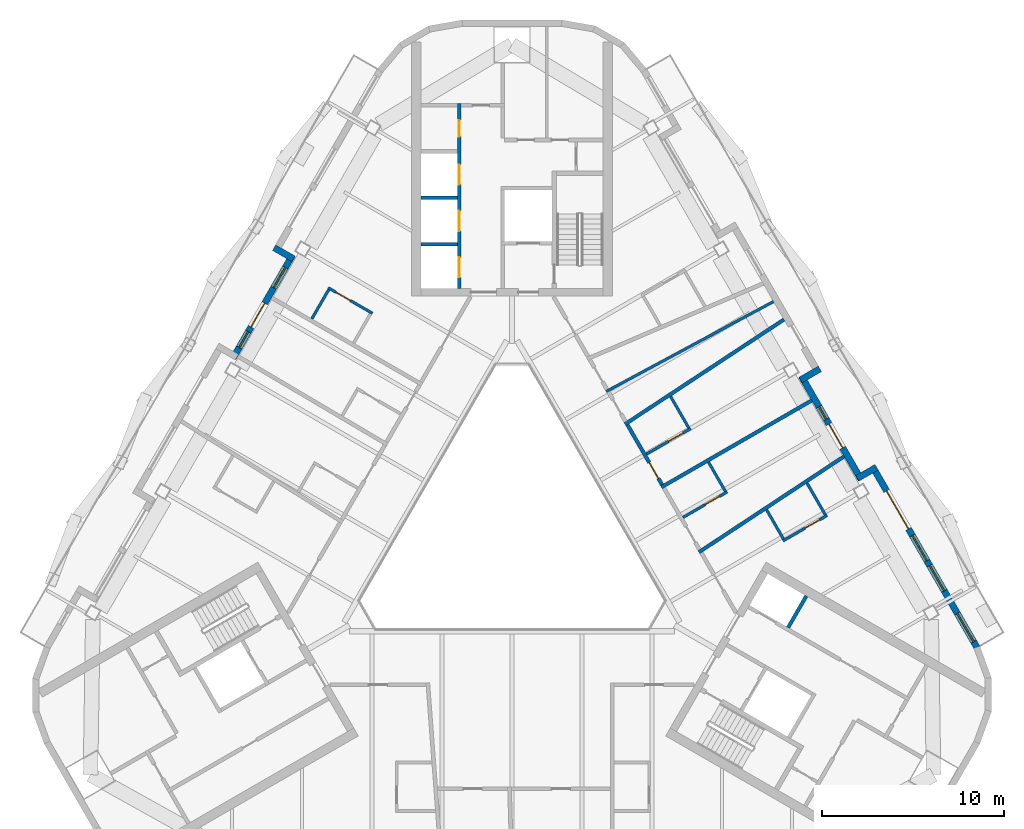
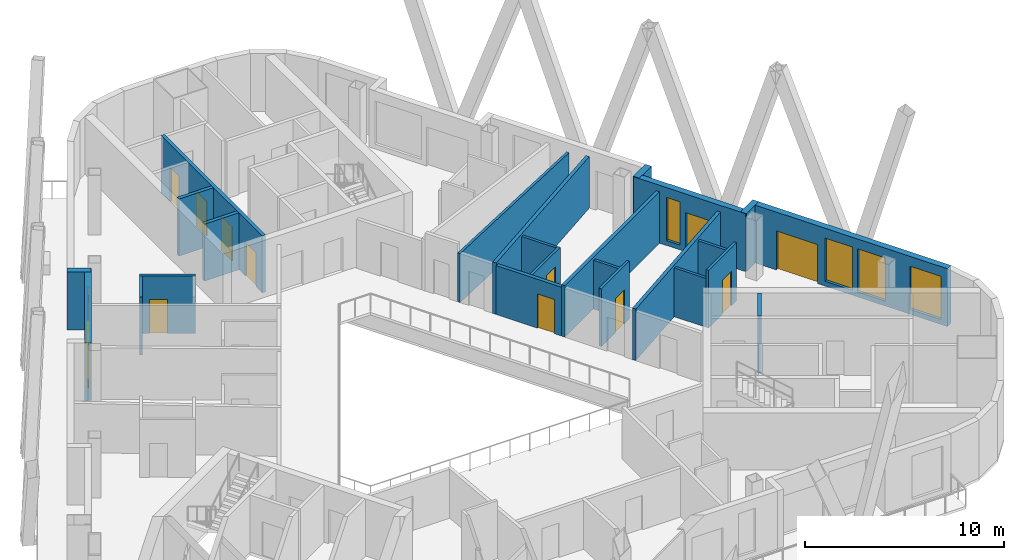
# One storey, part 6 of 14: 24 walls, 12 doors, 6 windows, 18 openings.
"""IFC4 building model written with IfcOpenShell, lengths in metres."""

from ifc_helpers import new_model, si_unit, direction, frame, frame_2d, origin, place, context, subcontext, project, spatial, rectangle, extrude, material, layer, layer_set, type_object, element, fill, save


model = new_model("IFC4")

# Units and contexts
model_context = context("Model", 3, precision=1e-05, world=origin(), true_north=direction((0.0, 1.0)))
body_context = subcontext(model_context, "Body", "Model", "MODEL_VIEW")
ifc_project = project(units=[si_unit("LENGTHUNIT", "METRE"), si_unit("AREAUNIT", "SQUARE_METRE"), si_unit("VOLUMEUNIT", "CUBIC_METRE"), si_unit("PLANEANGLEUNIT", "RADIAN"), si_unit("MASSUNIT", "GRAM", prefix="KILO")], contexts=[model_context])

# Site, building, storey
site_placement = place(None, origin())
site = spatial("IfcSite", under=ifc_project, at=site_placement, CompositionType="ELEMENT")
building_placement = place(site_placement, origin())
building = spatial("IfcBuilding", under=site, at=building_placement, Name="Apuvela Tower Hotel", CompositionType="ELEMENT")
storey_placement = place(building_placement, frame((0.0, 0.0, 257.800048828125)))
storey = spatial("IfcBuildingStorey", under=building, at=storey_placement, Name="L63", CompositionType="ELEMENT", Elevation=257.800048828125)

# Wall, openings, doors
ifc_material_1 = material(Name="Concrete C50/60", Category="concrete")
ifc_layer_1 = layer(ifc_material_1, 0.199951171875)
ifc_layer_set_1 = layer_set([ifc_layer_1], Name="COR-WALL-SHAFT-200")
wall_type_1 = type_object("IfcWallType", Name="COR-WALL-SHAFT-200", PredefinedType="SHEAR", material=ifc_layer_set_1)
wall_1_placement = place(storey_placement, frame((-2.89990234375, 13.300048828125, 0.0), z_axis=(0.0, 0.0, 1.0), x_axis=(0.0, 1.0, 0.0)))
wall_1 = element("IfcWall", 1, at=wall_1_placement, inside=storey, type_object=wall_type_1, Name="Shaft wall N", PredefinedType="SHEAR", context=body_context, shape_type="SweptSolid", body=[
    extrude(rectangle(XDim=10.159912109375, YDim=0.199951171875, at=frame_2d((5.080078125, 0.0))), origin(), (0.0, 0.0, 1.0), 3.5),
])
opening_1_placement = place(wall_1_placement, frame((0.6201171875, 0.0, 0.0)))
opening_1 = element("IfcOpeningElement", 2, at=opening_1_placement, cuts=wall_1, Name="Opening N-LD-HR1", PredefinedType="OPENING", context=body_context, shape_type="SweptSolid", body=[
    extrude(rectangle(XDim=1.10009765625, YDim=2.10009765625, at=frame_2d((0.550048828125, 1.050048828125))), frame((0.0, 0.10986328125, 0.0), z_axis=(0.0, -1.0, 0.0), x_axis=(1.0, 0.0, 0.0)), (0.0, 0.0, 1.0), 0.219970703125),
])
opening_2_placement = place(wall_1_placement, frame((3.159912109375, 0.0, 0.0)))
opening_2 = element("IfcOpeningElement", 3, at=opening_2_placement, cuts=wall_1, Name="Opening N-LD-HR2", PredefinedType="OPENING", context=body_context, shape_type="SweptSolid", body=[
    extrude(rectangle(XDim=1.10009765625, YDim=2.10009765625, at=frame_2d((0.550048828125, 1.050048828125))), frame((0.0, 0.10986328125, 0.0), z_axis=(0.0, -1.0, 0.0), x_axis=(1.0, 0.0, 0.0)), (0.0, 0.0, 1.0), 0.219970703125),
])
opening_3_placement = place(wall_1_placement, frame((5.699951171875, 0.0, 0.0)))
opening_3 = element("IfcOpeningElement", 4, at=opening_3_placement, cuts=wall_1, Name="Opening N-LD-HR4", PredefinedType="OPENING", context=body_context, shape_type="SweptSolid", body=[
    extrude(rectangle(XDim=1.10009765625, YDim=2.10009765625, at=frame_2d((0.550048828125, 1.050048828125))), frame((0.0, 0.10986328125, 0.0), z_axis=(0.0, -1.0, 0.0), x_axis=(1.0, 0.0, 0.0)), (0.0, 0.0, 1.0), 0.219970703125),
])
opening_4_placement = place(wall_1_placement, frame((8.340087890625, 0.0, 0.0)))
opening_4 = element("IfcOpeningElement", 5, at=opening_4_placement, cuts=wall_1, Name="Opening N-RE4", PredefinedType="OPENING", context=body_context, shape_type="SweptSolid", body=[
    extrude(rectangle(XDim=0.89990234375, YDim=2.10009765625, at=frame_2d((0.449951171875, 1.050048828125))), frame((0.0, 0.10986328125, 0.0), z_axis=(0.0, -1.0, 0.0), x_axis=(1.0, 0.0, 0.0)), (0.0, 0.0, 1.0), 0.219970703125),
])
ifc_material_2 = material(Name="Steel fire door, powder coated", Category="steel")
door_type_1 = type_object("IfcDoorType", Name="COR-DR-900", OperationType="NOTDEFINED", PredefinedType="DOOR", material=ifc_material_2)
door_1_placement = place(opening_4_placement, origin())
door_1 = element("IfcDoor", 6, at=door_1_placement, inside=storey, type_object=door_type_1, Name="Store door N-RE4", OperationType="SINGLE_SWING_LEFT", OverallHeight=2.10009765625, OverallWidth=0.89990234375, PredefinedType="DOOR", context=body_context, shape_type="SweptSolid", body=[
    extrude(rectangle(XDim=0.89990234375, YDim=2.10009765625, at=frame_2d((0.449951171875, 1.050048828125))), frame((0.0, 0.02490234375, 0.0), z_axis=(0.0, -1.0, 0.0), x_axis=(1.0, 0.0, 0.0)), (0.0, 0.0, 1.0), 0.050048828125),
])
fill(opening_4, door_1)
ifc_material_3 = material(Name="Stainless steel lift landing door", Category="steel")
door_type_2 = type_object("IfcDoorType", Name="COR-LD-1100", OperationType="DOUBLE_DOOR_SLIDING", PredefinedType="DOOR", material=ifc_material_3)
door_2_placement = place(opening_1_placement, origin())
door_2 = element("IfcDoor", 7, at=door_2_placement, inside=storey, type_object=door_type_2, Name="Lift landing door N-LD-HR1", OperationType="DOUBLE_DOOR_SLIDING", OverallHeight=2.10009765625, OverallWidth=1.10009765625, PredefinedType="DOOR", context=body_context, shape_type="SweptSolid", body=[
    extrude(rectangle(XDim=1.10009765625, YDim=2.10009765625, at=frame_2d((0.550048828125, 1.050048828125))), frame((0.0, 0.02490234375, 0.0), z_axis=(0.0, -1.0, 0.0), x_axis=(1.0, 0.0, 0.0)), (0.0, 0.0, 1.0), 0.050048828125),
])
fill(opening_1, door_2)
door_3_placement = place(opening_2_placement, origin())
door_3 = element("IfcDoor", 8, at=door_3_placement, inside=storey, type_object=door_type_2, Name="Lift landing door N-LD-HR2", OperationType="DOUBLE_DOOR_SLIDING", OverallHeight=2.10009765625, OverallWidth=1.10009765625, PredefinedType="DOOR", context=body_context, shape_type="SweptSolid", body=[
    extrude(rectangle(XDim=1.10009765625, YDim=2.10009765625, at=frame_2d((0.550048828125, 1.050048828125))), frame((0.0, 0.02490234375, 0.0), z_axis=(0.0, -1.0, 0.0), x_axis=(1.0, 0.0, 0.0)), (0.0, 0.0, 1.0), 0.050048828125),
])
fill(opening_2, door_3)
door_4_placement = place(opening_3_placement, origin())
door_4 = element("IfcDoor", 9, at=door_4_placement, inside=storey, type_object=door_type_2, Name="Lift landing door N-LD-HR4", OperationType="DOUBLE_DOOR_SLIDING", OverallHeight=2.10009765625, OverallWidth=1.10009765625, PredefinedType="DOOR", context=body_context, shape_type="SweptSolid", body=[
    extrude(rectangle(XDim=1.10009765625, YDim=2.10009765625, at=frame_2d((0.550048828125, 1.050048828125))), frame((0.0, 0.02490234375, 0.0), z_axis=(0.0, -1.0, 0.0), x_axis=(1.0, 0.0, 0.0)), (0.0, 0.0, 1.0), 0.050048828125),
])
fill(opening_3, door_4)

# Walls
for number, where, z_axis, x_axis, name in (
    (10, (-3.0, 15.739990234375, 0.0), (0.0, 0.0, 1.0), (-1.0, 0.0, 0.0), "Shaft wall N"),
    (11, (-3.0, 18.280029296875, 0.0), (0.0, 0.0, 1.0), (-1.0, 0.0, 0.0), "Shaft wall N"),
    (12, (15.131103515625, -5.27197265625, 0.0), (0.0, 0.0, 1.0), (0.499972520799, 0.866041268327, 0.0), "Shaft wall SE"),
):
    element("IfcWall", number, at=place(storey_placement, frame(where, z_axis=z_axis, x_axis=x_axis)), inside=storey, type_object=wall_type_1, Name=name, PredefinedType="SHEAR", context=body_context, shape_type="SweptSolid", body=[
        extrude(rectangle(XDim=2.0, YDim=0.199951171875, at=frame_2d((1.0, 0.0))), origin(), (0.0, 0.0, 1.0), 3.5),
    ])
ifc_material_4 = material(Name="Concrete C40/50, dark pigmented precast panel", Category="concrete")
ifc_layer_2 = layer(ifc_material_4, 0.35009765625)
ifc_layer_set_2 = layer_set([ifc_layer_2], Name="ENV-WALL-350")
wall_type_2 = type_object("IfcWallType", Name="ENV-WALL-350", PredefinedType="SOLIDWALL", material=ifc_layer_set_2)
wall_2_placement = place(storey_placement, frame((-13.03564453125, 15.547607421875, 0.0), z_axis=(0.0, 0.0, 1.0), x_axis=(0.866005645448, -0.500034220881, 0.0)))
element("IfcWall", 13, at=wall_2_placement, inside=storey, type_object=wall_type_2, Name="External wall L63-02", PredefinedType="SOLIDWALL", context=body_context, shape_type="SweptSolid", body=[
    extrude(rectangle(XDim=1.22021484375, YDim=0.35009765625, at=frame_2d((0.610107421875, 0.0))), origin(), (0.0, 0.0, 1.0), 3.550048828125),
])

# Wall, openings, door, windows
wall_3_placement = place(storey_placement, frame((-12.031982421875, 15.1357421875, 0.0), z_axis=(0.0, 0.0, 1.0), x_axis=(-0.500005870429, -0.866022014464, 0.0)))
wall_3 = element("IfcWall", 14, at=wall_3_placement, inside=storey, type_object=wall_type_2, Name="External wall L63-03", PredefinedType="SOLIDWALL", context=body_context, shape_type="SweptSolid", body=[
    extrude(rectangle(XDim=6.51220703125, YDim=0.35009765625, at=frame_2d((3.256103515625, 0.0))), origin(), (0.0, 0.0, 1.0), 3.550048828125),
])
opening_5_placement = place(wall_3_placement, frame((0.77001953125, 0.0, 0.300048828125)))
opening_5 = element("IfcOpeningElement", 15, at=opening_5_placement, cuts=wall_3, Name="Opening WN13", PredefinedType="OPENING", context=body_context, shape_type="SweptSolid", body=[
    extrude(rectangle(XDim=1.300048828125, YDim=2.64990234375, at=frame_2d((0.64990234375, 1.324951171875))), frame((0.0, 0.18505859375, 0.0), z_axis=(0.0, -1.0, 0.0), x_axis=(1.0, 0.0, 0.0)), (0.0, 0.0, 1.0), 0.3701171875),
])
opening_6_placement = place(wall_3_placement, frame((3.0419921875, 0.0, 0.0)))
opening_6 = element("IfcOpeningElement", 16, at=opening_6_placement, cuts=wall_3, Name="Opening BD15", PredefinedType="OPENING", context=body_context, shape_type="SweptSolid", body=[
    extrude(rectangle(XDim=1.5, YDim=2.39990234375, at=frame_2d((0.75, 1.199951171875))), frame((0.0, 0.18505859375, 0.0), z_axis=(0.0, -1.0, 0.0), x_axis=(1.0, 0.0, 0.0)), (0.0, 0.0, 1.0), 0.3701171875),
])
opening_7_placement = place(wall_3_placement, frame((4.842041015625, 0.0, 0.300048828125)))
opening_7 = element("IfcOpeningElement", 17, at=opening_7_placement, cuts=wall_3, Name="Opening WN10", PredefinedType="OPENING", context=body_context, shape_type="SweptSolid", body=[
    extrude(rectangle(XDim=1.0, YDim=2.64990234375, at=frame_2d((0.5, 1.324951171875))), frame((0.0, 0.18505859375, 0.0), z_axis=(0.0, -1.0, 0.0), x_axis=(1.0, 0.0, 0.0)), (0.0, 0.0, 1.0), 0.3701171875),
])
ifc_material_5 = material(Name="Aluminium 6063-T6, dark bronze anodised frame with dark tinted laminated glass", Category="aluminium")
door_type_3 = type_object("IfcDoorType", Name="ENV-DOOR-BALCONY-1500x2400", OperationType="SLIDING_TO_LEFT", PredefinedType="DOOR", material=ifc_material_5)
door_5_placement = place(opening_6_placement, frame((1.5, 0.0, 0.0), z_axis=(0.0, 0.0, 1.0), x_axis=(-1.0, 0.0, 0.0)))
door_5 = element("IfcDoor", 18, at=door_5_placement, inside=storey, type_object=door_type_3, Name="Balcony door BD15", OperationType="SLIDING_TO_LEFT", OverallHeight=2.39990234375, OverallWidth=1.5, PredefinedType="DOOR", context=body_context, shape_type="SweptSolid", body=[
    extrude(rectangle(XDim=1.5, YDim=2.39990234375, at=frame_2d((0.75, 1.199951171875))), frame((0.0, 0.02490234375, 0.0), z_axis=(0.0, -1.0, 0.0), x_axis=(1.0, 0.0, 0.0)), (0.0, 0.0, 1.0), 0.050048828125),
])
fill(opening_6, door_5)
ifc_material_6 = material(Name="Glass, dark tinted laminated insulated glazing unit", Category="glass")
window_type_1 = type_object("IfcWindowType", Name="ENV-WIN-1000x2650", PartitioningType="SINGLE_PANEL", PredefinedType="WINDOW", material=ifc_material_6)
window_1_placement = place(opening_7_placement, origin())
window_1 = element("IfcWindow", 19, at=window_1_placement, inside=storey, type_object=window_type_1, Name="Window WN10", OverallHeight=2.64990234375, OverallWidth=1.0, PartitioningType="SINGLE_PANEL", PredefinedType="WINDOW", context=body_context, shape_type="SweptSolid", body=[
    extrude(rectangle(XDim=1.0, YDim=2.64990234375, at=frame_2d((0.5, 1.324951171875))), frame((0.0, 0.030029296875, 0.0), z_axis=(0.0, -1.0, 0.0), x_axis=(1.0, 0.0, 0.0)), (0.0, 0.0, 1.0), 0.06005859375),
])
fill(opening_7, window_1)
window_type_2 = type_object("IfcWindowType", Name="ENV-WIN-1300x2650", PartitioningType="SINGLE_PANEL", PredefinedType="WINDOW", material=ifc_material_6)
window_2_placement = place(opening_5_placement, origin())
window_2 = element("IfcWindow", 20, at=window_2_placement, inside=storey, type_object=window_type_2, Name="Window WN13", OverallHeight=2.64990234375, OverallWidth=1.300048828125, PartitioningType="SINGLE_PANEL", PredefinedType="WINDOW", context=body_context, shape_type="SweptSolid", body=[
    extrude(rectangle(XDim=1.300048828125, YDim=2.64990234375, at=frame_2d((0.64990234375, 1.324951171875))), frame((0.0, 0.030029296875, 0.0), z_axis=(0.0, -1.0, 0.0), x_axis=(1.0, 0.0, 0.0)), (0.0, 0.0, 1.0), 0.06005859375),
])
fill(opening_5, window_2)

wall_4_placement = place(storey_placement, frame((25.49365234375, -6.38037109375, 0.0), z_axis=(0.0, 0.0, 1.0), x_axis=(-0.499999932627, 0.866025442683, 0.0)))
wall_4 = element("IfcWall", 21, at=wall_4_placement, inside=storey, type_object=wall_type_2, Name="External wall L63-33", PredefinedType="SOLIDWALL", context=body_context, shape_type="SweptSolid", body=[
    extrude(rectangle(XDim=11.50048828125, YDim=0.35009765625, at=frame_2d((5.750244140625, 0.0))), origin(), (0.0, 0.0, 1.0), 3.550048828125),
])
opening_8_placement = place(wall_4_placement, frame((0.380126953125, 0.0, 0.300048828125)))
opening_8 = element("IfcOpeningElement", 22, at=opening_8_placement, cuts=wall_4, Name="Opening WN18", PredefinedType="OPENING", context=body_context, shape_type="SweptSolid", body=[
    extrude(rectangle(XDim=1.800048828125, YDim=2.64990234375, at=frame_2d((0.89990234375, 1.324951171875))), frame((0.0, 0.18505859375, 0.0), z_axis=(0.0, -1.0, 0.0), x_axis=(1.0, 0.0, 0.0)), (0.0, 0.0, 1.0), 0.3701171875),
])
opening_9_placement = place(wall_4_placement, frame((7.525146484375, 0.0, 0.0)))
opening_9 = element("IfcOpeningElement", 23, at=opening_9_placement, cuts=wall_4, Name="Opening BD24", PredefinedType="OPENING", context=body_context, shape_type="SweptSolid", body=[
    extrude(rectangle(XDim=2.39990234375, YDim=2.39990234375, at=frame_2d((1.199951171875, 1.199951171875))), frame((0.0, 0.18505859375, 0.0), z_axis=(0.0, -1.0, 0.0), x_axis=(1.0, 0.0, 0.0)), (0.0, 0.0, 1.0), 0.3701171875),
])
opening_10_placement = place(wall_4_placement, frame((3.603515625, 0.0, 0.300048828125)))
opening_10 = element("IfcOpeningElement", 24, at=opening_10_placement, cuts=wall_4, Name="Opening WN16", PredefinedType="OPENING", context=body_context, shape_type="SweptSolid", body=[
    extrude(rectangle(XDim=1.60009765625, YDim=2.64990234375, at=frame_2d((0.800048828125, 1.324951171875))), frame((0.0, 0.18505859375, 0.0), z_axis=(0.0, -1.0, 0.0), x_axis=(1.0, 0.0, 0.0)), (0.0, 0.0, 1.0), 0.3701171875),
])
opening_11_placement = place(wall_4_placement, frame((5.50341796875, 0.0, 0.300048828125)))
opening_11 = element("IfcOpeningElement", 25, at=opening_11_placement, cuts=wall_4, Name="Opening WN16", PredefinedType="OPENING", context=body_context, shape_type="SweptSolid", body=[
    extrude(rectangle(XDim=1.60009765625, YDim=2.64990234375, at=frame_2d((0.800048828125, 1.324951171875))), frame((0.0, 0.18505859375, 0.0), z_axis=(0.0, -1.0, 0.0), x_axis=(1.0, 0.0, 0.0)), (0.0, 0.0, 1.0), 0.3701171875),
])
door_type_4 = type_object("IfcDoorType", Name="ENV-DOOR-BALCONY-2400x2400", OperationType="SLIDING_TO_LEFT", PredefinedType="DOOR", material=ifc_material_5)
door_6_placement = place(opening_9_placement, frame((2.39990234375, 0.0, 0.0), z_axis=(0.0, 0.0, 1.0), x_axis=(-1.0, 0.0, 0.0)))
door_6 = element("IfcDoor", 26, at=door_6_placement, inside=storey, type_object=door_type_4, Name="Balcony door BD24", OperationType="SLIDING_TO_LEFT", OverallHeight=2.39990234375, OverallWidth=2.39990234375, PredefinedType="DOOR", context=body_context, shape_type="SweptSolid", body=[
    extrude(rectangle(XDim=2.39990234375, YDim=2.39990234375, at=frame_2d((1.199951171875, 1.199951171875))), frame((0.0, 0.02490234375, 0.0), z_axis=(0.0, -1.0, 0.0), x_axis=(1.0, 0.0, 0.0)), (0.0, 0.0, 1.0), 0.050048828125),
])
fill(opening_9, door_6)
window_type_3 = type_object("IfcWindowType", Name="ENV-WIN-1600x2650", PartitioningType="SINGLE_PANEL", PredefinedType="WINDOW", material=ifc_material_6)
window_3_placement = place(opening_10_placement, origin())
window_3 = element("IfcWindow", 27, at=window_3_placement, inside=storey, type_object=window_type_3, Name="Window WN16", OverallHeight=2.64990234375, OverallWidth=1.60009765625, PartitioningType="SINGLE_PANEL", PredefinedType="WINDOW", context=body_context, shape_type="SweptSolid", body=[
    extrude(rectangle(XDim=1.60009765625, YDim=2.64990234375, at=frame_2d((0.800048828125, 1.324951171875))), frame((0.0, 0.030029296875, 0.0), z_axis=(0.0, -1.0, 0.0), x_axis=(1.0, 0.0, 0.0)), (0.0, 0.0, 1.0), 0.06005859375),
])
fill(opening_10, window_3)
window_4_placement = place(opening_11_placement, origin())
window_4 = element("IfcWindow", 28, at=window_4_placement, inside=storey, type_object=window_type_3, Name="Window WN16", OverallHeight=2.64990234375, OverallWidth=1.60009765625, PartitioningType="SINGLE_PANEL", PredefinedType="WINDOW", context=body_context, shape_type="SweptSolid", body=[
    extrude(rectangle(XDim=1.60009765625, YDim=2.64990234375, at=frame_2d((0.800048828125, 1.324951171875))), frame((0.0, 0.030029296875, 0.0), z_axis=(0.0, -1.0, 0.0), x_axis=(1.0, 0.0, 0.0)), (0.0, 0.0, 1.0), 0.06005859375),
])
fill(opening_11, window_4)
window_type_4 = type_object("IfcWindowType", Name="ENV-WIN-1800x2650", PartitioningType="SINGLE_PANEL", PredefinedType="WINDOW", material=ifc_material_6)
window_5_placement = place(opening_8_placement, origin())
window_5 = element("IfcWindow", 29, at=window_5_placement, inside=storey, type_object=window_type_4, Name="Window WN18", OverallHeight=2.64990234375, OverallWidth=1.800048828125, PartitioningType="SINGLE_PANEL", PredefinedType="WINDOW", context=body_context, shape_type="SweptSolid", body=[
    extrude(rectangle(XDim=1.800048828125, YDim=2.64990234375, at=frame_2d((0.89990234375, 1.324951171875))), frame((0.0, 0.030029296875, 0.0), z_axis=(0.0, -1.0, 0.0), x_axis=(1.0, 0.0, 0.0)), (0.0, 0.0, 1.0), 0.06005859375),
])
fill(opening_8, window_5)

# Wall
wall_5_placement = place(storey_placement, frame((19.982421875, 3.515380859375, 0.0), z_axis=(0.0, 0.0, 1.0), x_axis=(-0.866092288191, -0.499884134912, 0.0)))
element("IfcWall", 30, at=wall_5_placement, inside=storey, type_object=wall_type_2, Name="External wall L63-34", PredefinedType="SOLIDWALL", context=body_context, shape_type="SweptSolid", body=[
    extrude(rectangle(XDim=1.219970703125, YDim=0.35009765625, at=frame_2d((0.60986328125, 0.0))), origin(), (0.0, 0.0, 1.0), 3.550048828125),
])

# Wall, openings, door, window
wall_6_placement = place(storey_placement, frame((19.123779296875, 2.852294921875, 0.0), z_axis=(0.0, 0.0, 1.0), x_axis=(-0.499993986225, 0.866028875811, 0.0)))
wall_6 = element("IfcWall", 31, at=wall_6_placement, inside=storey, type_object=wall_type_2, Name="External wall L63-35", PredefinedType="SOLIDWALL", context=body_context, shape_type="SweptSolid", body=[
    extrude(rectangle(XDim=6.51171875, YDim=0.35009765625, at=frame_2d((3.255859375, 0.0))), origin(), (0.0, 0.0, 1.0), 3.550048828125),
])
opening_12_placement = place(wall_6_placement, frame((1.997314453125, 0.0, 0.0)))
opening_12 = element("IfcOpeningElement", 32, at=opening_12_placement, cuts=wall_6, Name="Opening BD15", PredefinedType="OPENING", context=body_context, shape_type="SweptSolid", body=[
    extrude(rectangle(XDim=1.5, YDim=2.39990234375, at=frame_2d((0.75, 1.199951171875))), frame((0.0, 0.18505859375, 0.0), z_axis=(0.0, -1.0, 0.0), x_axis=(1.0, 0.0, 0.0)), (0.0, 0.0, 1.0), 0.3701171875),
])
opening_13_placement = place(wall_6_placement, frame((3.79736328125, 0.0, 0.300048828125)))
opening_13 = element("IfcOpeningElement", 33, at=opening_13_placement, cuts=wall_6, Name="Opening WN08", PredefinedType="OPENING", context=body_context, shape_type="SweptSolid", body=[
    extrude(rectangle(XDim=0.800048828125, YDim=2.64990234375, at=frame_2d((0.39990234375, 1.324951171875))), frame((0.0, 0.18505859375, 0.0), z_axis=(0.0, -1.0, 0.0), x_axis=(1.0, 0.0, 0.0)), (0.0, 0.0, 1.0), 0.3701171875),
])
door_7_placement = place(opening_12_placement, frame((1.5, 0.0, 0.0), z_axis=(0.0, 0.0, 1.0), x_axis=(-1.0, 0.0, 0.0)))
door_7 = element("IfcDoor", 34, at=door_7_placement, inside=storey, type_object=door_type_3, Name="Balcony door BD15", OperationType="SLIDING_TO_LEFT", OverallHeight=2.39990234375, OverallWidth=1.5, PredefinedType="DOOR", context=body_context, shape_type="SweptSolid", body=[
    extrude(rectangle(XDim=1.5, YDim=2.39990234375, at=frame_2d((0.75, 1.199951171875))), frame((0.0, 0.02490234375, 0.0), z_axis=(0.0, -1.0, 0.0), x_axis=(1.0, 0.0, 0.0)), (0.0, 0.0, 1.0), 0.050048828125),
])
fill(opening_12, door_7)
window_type_5 = type_object("IfcWindowType", Name="ENV-WIN-800x2650", PartitioningType="SINGLE_PANEL", PredefinedType="WINDOW", material=ifc_material_6)
window_6_placement = place(opening_13_placement, origin())
window_6 = element("IfcWindow", 35, at=window_6_placement, inside=storey, type_object=window_type_5, Name="Window WN08", OverallHeight=2.64990234375, OverallWidth=0.800048828125, PartitioningType="SINGLE_PANEL", PredefinedType="WINDOW", context=body_context, shape_type="SweptSolid", body=[
    extrude(rectangle(XDim=0.800048828125, YDim=2.64990234375, at=frame_2d((0.39990234375, 1.324951171875))), frame((0.0, 0.030029296875, 0.0), z_axis=(0.0, -1.0, 0.0), x_axis=(1.0, 0.0, 0.0)), (0.0, 0.0, 1.0), 0.06005859375),
])
fill(opening_13, window_6)

# Walls
wall_7_placement = place(storey_placement, frame((15.814697265625, 8.293701171875, 0.0), z_axis=(0.0, 0.0, 1.0), x_axis=(0.866055662726, 0.499947586314, 0.0)))
element("IfcWall", 36, at=wall_7_placement, inside=storey, type_object=wall_type_2, Name="External wall L63-36", PredefinedType="SOLIDWALL", context=body_context, shape_type="SweptSolid", body=[
    extrude(rectangle(XDim=1.220458984375, YDim=0.35009765625, at=frame_2d((0.6103515625, 0.0))), origin(), (0.0, 0.0, 1.0), 3.550048828125),
])
ifc_material_7 = material(Name="Gypsum board partition on twin steel stud", Category="steel")
ifc_layer_3 = layer(ifc_material_7, 0.199951171875)
ifc_layer_set_3 = layer_set([ifc_layer_3], Name="GST-PW1")
wall_type_3 = type_object("IfcWallType", Name="GST-PW1", PredefinedType="PARTITIONING", material=ifc_layer_set_3)
wall_8_placement = place(storey_placement, frame((18.1982421875, 4.10546875, 0.0), z_axis=(0.0, 0.0, 1.0), x_axis=(-0.83467370746, -0.550744770356, 0.0)))
element("IfcWall", 37, at=wall_8_placement, inside=storey, type_object=wall_type_3, Name="L63 partition 04", PredefinedType="PARTITIONING", context=body_context, shape_type="SweptSolid", body=[
    extrude(rectangle(XDim=9.52978515625, YDim=0.199951171875, at=frame_2d((4.764892578125, 0.0))), origin(), (0.0, 0.0, 1.0), 3.159912109375),
])
wall_9_placement = place(storey_placement, frame((16.426513671875, 7.17431640625, 0.0), z_axis=(0.0, 0.0, 1.0), x_axis=(-0.866033014143, -0.499986818241, 0.0)))
element("IfcWall", 38, at=wall_9_placement, inside=storey, type_object=wall_type_3, Name="L63 partition 05", PredefinedType="PARTITIONING", context=body_context, shape_type="SweptSolid", body=[
    extrude(rectangle(XDim=9.512939453125, YDim=0.199951171875, at=frame_2d((4.75634765625, 0.0))), origin(), (0.0, 0.0, 1.0), 3.159912109375),
])
wall_10_placement = place(storey_placement, frame((14.906005859375, 11.608154296875, 0.0), z_axis=(0.0, 0.0, 1.0), x_axis=(-0.835212554653, -0.549927257507, 0.0)))
element("IfcWall", 39, at=wall_10_placement, inside=storey, type_object=wall_type_3, Name="L63 partition 06", PredefinedType="PARTITIONING", context=body_context, shape_type="SweptSolid", body=[
    extrude(rectangle(XDim=10.43115234375, YDim=0.199951171875, at=frame_2d((5.215576171875, 0.0))), origin(), (0.0, 0.0, 1.0), 3.159912109375),
])

# Wall, opening, door
ifc_material_8 = material(Name="Gypsum board corridor wall on twin steel stud, acoustic", Category="steel")
ifc_layer_4 = layer(ifc_material_8, 0.199951171875)
ifc_layer_set_4 = layer_set([ifc_layer_4], Name="GST-PW2")
wall_type_4 = type_object("IfcWallType", Name="GST-PW2", PredefinedType="PARTITIONING", material=ifc_layer_set_4)
wall_11_placement = place(storey_placement, frame((6.32763671875, 5.840087890625, 0.0), z_axis=(0.0, 0.0, 1.0), x_axis=(0.50002883476, -0.866008755388, 0.0)))
wall_11 = element("IfcWall", 40, at=wall_11_placement, inside=storey, type_object=wall_type_4, Name="L63 partition 28", PredefinedType="PARTITIONING", context=body_context, shape_type="SweptSolid", body=[
    extrude(rectangle(XDim=3.793701171875, YDim=0.199951171875, at=frame_2d((1.89697265625, 0.0))), origin(), (0.0, 0.0, 1.0), 3.0),
])
opening_14_placement = place(wall_11_placement, frame((2.39111328125, 0.0, 0.0)))
opening_14 = element("IfcOpeningElement", 41, at=opening_14_placement, cuts=wall_11, Name="Opening GD25-12", PredefinedType="OPENING", context=body_context, shape_type="SweptSolid", body=[
    extrude(rectangle(XDim=1.0, YDim=2.10009765625, at=frame_2d((0.5, 1.050048828125))), frame((0.0, 0.10986328125, 0.0), z_axis=(0.0, -1.0, 0.0), x_axis=(1.0, 0.0, 0.0)), (0.0, 0.0, 1.0), 0.219970703125),
])
ifc_material_9 = material(Name="Timber door leaf in steel frame", Category="steel")
door_type_5 = type_object("IfcDoorType", Name="GST-D1", OperationType="NOTDEFINED", PredefinedType="DOOR", material=ifc_material_9)
door_8_placement = place(opening_14_placement, origin())
door_8 = element("IfcDoor", 42, at=door_8_placement, inside=storey, type_object=door_type_5, Name="Door L63-12", OperationType="SINGLE_SWING_RIGHT", OverallHeight=2.10009765625, OverallWidth=1.0, PredefinedType="DOOR", context=body_context, shape_type="SweptSolid", body=[
    extrude(rectangle(XDim=1.0, YDim=2.10009765625, at=frame_2d((0.5, 1.050048828125))), frame((0.0, 0.02490234375, 0.0), z_axis=(0.0, -1.0, 0.0), x_axis=(1.0, 0.0, 0.0)), (0.0, 0.0, 1.0), 0.050048828125),
])
fill(opening_14, door_8)

ifc_material_10 = material(Name="Moisture-resistant gypsum board wet wall on steel stud", Category="steel")
ifc_layer_5 = layer(ifc_material_10, 0.14990234375)
ifc_layer_set_5 = layer_set([ifc_layer_5], Name="GST-PW3")
wall_type_5 = type_object("IfcWallType", Name="GST-PW3", PredefinedType="PARTITIONING", material=ifc_layer_set_5)
wall_12_placement = place(storey_placement, frame((14.85205078125, -0.5244140625, 0.0), z_axis=(0.0, 0.0, 1.0), x_axis=(0.866034573852, 0.49998411664, 0.0)))
wall_12 = element("IfcWall", 43, at=wall_12_placement, inside=storey, type_object=wall_type_5, Name="L63 partition 22", PredefinedType="PARTITIONING", context=body_context, shape_type="SweptSolid", body=[
    extrude(rectangle(XDim=2.7998046875, YDim=0.14990234375, at=frame_2d((1.39990234375, 0.0))), origin(), (0.0, 0.0, 1.0), 3.550048828125),
])
opening_15_placement = place(wall_12_placement, frame((1.39990234375, 0.0, 0.0)))
opening_15 = element("IfcOpeningElement", 44, at=opening_15_placement, cuts=wall_12, Name="Opening GD25-07", PredefinedType="OPENING", context=body_context, shape_type="SweptSolid", body=[
    extrude(rectangle(XDim=0.89990234375, YDim=2.10009765625, at=frame_2d((0.449951171875, 1.050048828125))), frame((0.0, 0.0849609375, 0.0), z_axis=(0.0, -1.0, 0.0), x_axis=(1.0, 0.0, 0.0)), (0.0, 0.0, 1.0), 0.169921875),
])
door_type_6 = type_object("IfcDoorType", Name="GST-D2", OperationType="NOTDEFINED", PredefinedType="DOOR", material=ifc_material_9)
door_9_placement = place(opening_15_placement, origin())
door_9 = element("IfcDoor", 45, at=door_9_placement, inside=storey, type_object=door_type_6, Name="Door L63-07", OperationType="SINGLE_SWING_RIGHT", OverallHeight=2.10009765625, OverallWidth=0.89990234375, PredefinedType="DOOR", context=body_context, shape_type="SweptSolid", body=[
    extrude(rectangle(XDim=0.89990234375, YDim=2.10009765625, at=frame_2d((0.449951171875, 1.050048828125))), frame((0.0, 0.02490234375, 0.0), z_axis=(0.0, -1.0, 0.0), x_axis=(1.0, 0.0, 0.0)), (0.0, 0.0, 1.0), 0.050048828125),
])
fill(opening_15, door_9)

# Walls
wall_13_placement = place(storey_placement, frame((17.174560546875, 0.90283203125, 0.0), z_axis=(0.0, 0.0, 1.0), x_axis=(-0.499974444137, 0.866040157966, 0.0)))
element("IfcWall", 46, at=wall_13_placement, inside=storey, type_object=wall_type_5, Name="L63 partition 23", PredefinedType="PARTITIONING", context=body_context, shape_type="SweptSolid", body=[
    extrude(rectangle(XDim=2.0126953125, YDim=0.14990234375, at=frame_2d((1.00634765625, 0.0))), origin(), (0.0, 0.0, 1.0), 3.0),
])
wall_14_placement = place(storey_placement, frame((14.87939453125, -0.422119140625, 0.0), z_axis=(0.0, 0.0, 1.0), x_axis=(-0.499920006315, 0.866071583234, 0.0)))
element("IfcWall", 47, at=wall_14_placement, inside=storey, type_object=wall_type_5, Name="L63 partition 24", PredefinedType="PARTITIONING", context=body_context, shape_type="SweptSolid", body=[
    extrude(rectangle(XDim=1.854248046875, YDim=0.14990234375, at=frame_2d((0.92724609375, 0.0))), origin(), (0.0, 0.0, 1.0), 3.0),
])

# Wall, opening, door
wall_15_placement = place(storey_placement, frame((9.373779296875, 0.76416015625, 0.0), z_axis=(0.0, 0.0, 1.0), x_axis=(0.865996816683, 0.500049511043, 0.0)))
wall_15 = element("IfcWall", 48, at=wall_15_placement, inside=storey, type_object=wall_type_5, Name="L63 partition 26", PredefinedType="PARTITIONING", context=body_context, shape_type="SweptSolid", body=[
    extrude(rectangle(XDim=2.800048828125, YDim=0.14990234375, at=frame_2d((1.39990234375, 0.0))), origin(), (0.0, 0.0, 1.0), 3.550048828125),
])
opening_16_placement = place(wall_15_placement, frame((1.39990234375, 0.0, 0.0)))
opening_16 = element("IfcOpeningElement", 49, at=opening_16_placement, cuts=wall_15, Name="Opening GD25-09", PredefinedType="OPENING", context=body_context, shape_type="SweptSolid", body=[
    extrude(rectangle(XDim=0.89990234375, YDim=2.10009765625, at=frame_2d((0.449951171875, 1.050048828125))), frame((0.0, 0.0849609375, 0.0), z_axis=(0.0, -1.0, 0.0), x_axis=(1.0, 0.0, 0.0)), (0.0, 0.0, 1.0), 0.169921875),
])
door_10_placement = place(opening_16_placement, origin())
door_10 = element("IfcDoor", 50, at=door_10_placement, inside=storey, type_object=door_type_6, Name="Door L63-09", OperationType="SINGLE_SWING_RIGHT", OverallHeight=2.10009765625, OverallWidth=0.89990234375, PredefinedType="DOOR", context=body_context, shape_type="SweptSolid", body=[
    extrude(rectangle(XDim=0.89990234375, YDim=2.10009765625, at=frame_2d((0.449951171875, 1.050048828125))), frame((0.0, 0.02490234375, 0.0), z_axis=(0.0, -1.0, 0.0), x_axis=(1.0, 0.0, 0.0)), (0.0, 0.0, 1.0), 0.050048828125),
])
fill(opening_16, door_10)

# Wall
wall_16_placement = place(storey_placement, frame((11.696044921875, 2.191650390625, 0.0), z_axis=(0.0, 0.0, 1.0), x_axis=(-0.500042316284, 0.866000971088, 0.0)))
element("IfcWall", 51, at=wall_16_placement, inside=storey, type_object=wall_type_5, Name="L63 partition 27", PredefinedType="PARTITIONING", context=body_context, shape_type="SweptSolid", body=[
    extrude(rectangle(XDim=1.849853515625, YDim=0.14990234375, at=frame_2d((0.9248046875, 0.0))), origin(), (0.0, 0.0, 1.0), 3.0),
])

# Wall, opening, door
wall_17_placement = place(storey_placement, frame((7.370849609375, 4.2333984375, 0.0), z_axis=(0.0, 0.0, 1.0), x_axis=(0.866034573852, 0.49998411664, 0.0)))
wall_17 = element("IfcWall", 52, at=wall_17_placement, inside=storey, type_object=wall_type_5, Name="L63 partition 29", PredefinedType="PARTITIONING", context=body_context, shape_type="SweptSolid", body=[
    extrude(rectangle(XDim=2.7998046875, YDim=0.14990234375, at=frame_2d((1.39990234375, 0.0))), origin(), (0.0, 0.0, 1.0), 3.0),
])
opening_17_placement = place(wall_17_placement, frame((1.39990234375, 0.0, 0.0)))
opening_17 = element("IfcOpeningElement", 53, at=opening_17_placement, cuts=wall_17, Name="Opening GD25-11", PredefinedType="OPENING", context=body_context, shape_type="SweptSolid", body=[
    extrude(rectangle(XDim=0.89990234375, YDim=2.10009765625, at=frame_2d((0.449951171875, 1.050048828125))), frame((0.0, 0.0849609375, 0.0), z_axis=(0.0, -1.0, 0.0), x_axis=(1.0, 0.0, 0.0)), (0.0, 0.0, 1.0), 0.169921875),
])
door_11_placement = place(opening_17_placement, origin())
door_11 = element("IfcDoor", 54, at=door_11_placement, inside=storey, type_object=door_type_6, Name="Door L63-11", OperationType="SINGLE_SWING_RIGHT", OverallHeight=2.10009765625, OverallWidth=0.89990234375, PredefinedType="DOOR", context=body_context, shape_type="SweptSolid", body=[
    extrude(rectangle(XDim=0.89990234375, YDim=2.10009765625, at=frame_2d((0.449951171875, 1.050048828125))), frame((0.0, 0.02490234375, 0.0), z_axis=(0.0, -1.0, 0.0), x_axis=(1.0, 0.0, 0.0)), (0.0, 0.0, 1.0), 0.050048828125),
])
fill(opening_17, door_11)

# Walls
wall_18_placement = place(storey_placement, frame((9.693115234375, 5.660888671875, 0.0), z_axis=(0.0, 0.0, 1.0), x_axis=(-0.499964999879, 0.866045610171, 0.0)))
element("IfcWall", 55, at=wall_18_placement, inside=storey, type_object=wall_type_5, Name="L63 partition 30", PredefinedType="PARTITIONING", context=body_context, shape_type="SweptSolid", body=[
    extrude(rectangle(XDim=2.004150390625, YDim=0.14990234375, at=frame_2d((1.001953125, 0.0))), origin(), (0.0, 0.0, 1.0), 3.0),
])
wall_19_placement = place(storey_placement, frame((14.3359375, 12.595458984375, 0.0), z_axis=(0.0, 0.0, 1.0), x_axis=(-0.880794466183, -0.473498794445, 0.0)))
element("IfcWall", 56, at=wall_19_placement, inside=storey, type_object=wall_type_5, Name="L63 partition 31", PredefinedType="PARTITIONING", context=body_context, shape_type="SweptSolid", body=[
    extrude(rectangle(XDim=10.41796875, YDim=0.14990234375, at=frame_2d((5.208984375, 0.0))), origin(), (0.0, 0.0, 1.0), 3.0),
])

# Wall, opening, door
wall_20_placement = place(storey_placement, frame((-7.6494140625, 11.95068359375, 0.0), z_axis=(0.0, 0.0, 1.0), x_axis=(-0.865996816683, 0.500049511043, 0.0)))
wall_20 = element("IfcWall", 57, at=wall_20_placement, inside=storey, type_object=wall_type_5, Name="L63 partition 39", PredefinedType="PARTITIONING", context=body_context, shape_type="SweptSolid", body=[
    extrude(rectangle(XDim=2.800048828125, YDim=0.14990234375, at=frame_2d((1.39990234375, 0.0))), origin(), (0.0, 0.0, 1.0), 3.550048828125),
])
opening_18_placement = place(wall_20_placement, frame((1.39990234375, 0.0, 0.0)))
opening_18 = element("IfcOpeningElement", 58, at=opening_18_placement, cuts=wall_20, Name="Opening GD25-17", PredefinedType="OPENING", context=body_context, shape_type="SweptSolid", body=[
    extrude(rectangle(XDim=0.89990234375, YDim=2.10009765625, at=frame_2d((0.449951171875, 1.050048828125))), frame((0.0, 0.0849609375, 0.0), z_axis=(0.0, -1.0, 0.0), x_axis=(1.0, 0.0, 0.0)), (0.0, 0.0, 1.0), 0.169921875),
])
door_12_placement = place(opening_18_placement, origin())
door_12 = element("IfcDoor", 59, at=door_12_placement, inside=storey, type_object=door_type_6, Name="Door L63-17", OperationType="SINGLE_SWING_RIGHT", OverallHeight=2.10009765625, OverallWidth=0.89990234375, PredefinedType="DOOR", context=body_context, shape_type="SweptSolid", body=[
    extrude(rectangle(XDim=0.89990234375, YDim=2.10009765625, at=frame_2d((0.449951171875, 1.050048828125))), frame((0.0, 0.02490234375, 0.0), z_axis=(0.0, -1.0, 0.0), x_axis=(1.0, 0.0, 0.0)), (0.0, 0.0, 1.0), 0.050048828125),
])
fill(opening_18, door_12)

# Wall
wall_21_placement = place(storey_placement, frame((-10.046875, 13.248291015625, 0.0), z_axis=(0.0, 0.0, 1.0), x_axis=(-0.49994333299, -0.866058118026, 0.0)))
element("IfcWall", 60, at=wall_21_placement, inside=storey, type_object=wall_type_5, Name="L63 partition 40", PredefinedType="PARTITIONING", context=body_context, shape_type="SweptSolid", body=[
    extrude(rectangle(XDim=1.849853515625, YDim=0.14990234375, at=frame_2d((0.9248046875, 0.0))), origin(), (0.0, 0.0, 1.0), 3.550048828125),
])

save(model, "model.ifc")
